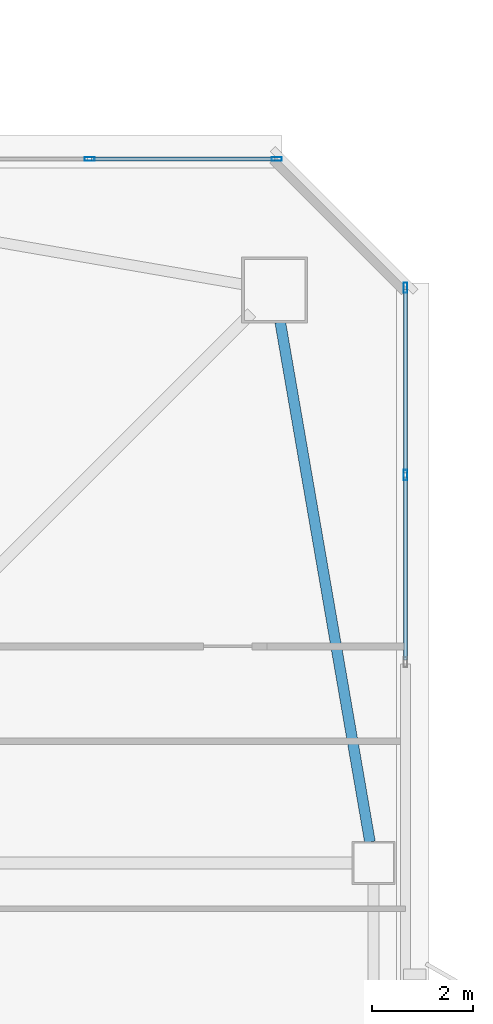
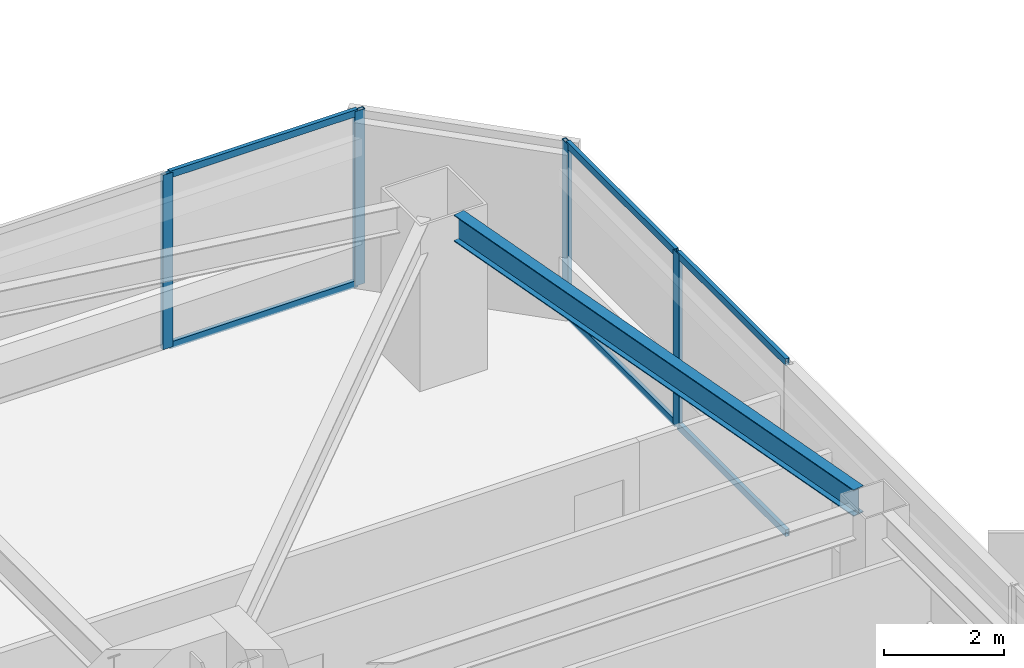
# One storey, part 18 of 48: 10 members, 1 beam, 2 elements without a shape of their own.
"""IFC4 building model written with IfcOpenShell, lengths in metres."""

from ifc_helpers import new_model, si_unit, direction, frame, origin, origin_2d, place, context, subcontext, project, spatial, hollow_rectangle, i_section, extrude, material, material_profile, profile_set, type_object, element, aggregate, save


model = new_model("IFC4")

# Units and contexts
model_context = context("Model", 3, precision=1e-05, world=origin(), true_north=direction((0.0, 1.0)))
body_context = subcontext(model_context, "Body", "Model", "MODEL_VIEW")
ifc_project = project(units=[si_unit("LENGTHUNIT", "METRE"), si_unit("AREAUNIT", "SQUARE_METRE"), si_unit("VOLUMEUNIT", "CUBIC_METRE"), si_unit("PLANEANGLEUNIT", "RADIAN"), si_unit("MASSUNIT", "GRAM", prefix="KILO")], contexts=[model_context])

# Site, building, storey
site_placement = place(None, origin())
site = spatial("IfcSite", under=ifc_project, at=site_placement, CompositionType="ELEMENT")
building_placement = place(site_placement, origin())
building = spatial("IfcBuilding", under=site, at=building_placement, Name="Tashvorn Skyway Center", CompositionType="ELEMENT")
storey_placement = place(building_placement, frame((0.0, 0.0, 125.050048828125)))
storey = spatial("IfcBuildingStorey", under=building, at=storey_placement, Name="L33", CompositionType="ELEMENT", Elevation=125.050048828125)

# Beam
ifc_material_1 = material(Name="Steel ASTM A992 Grade 50", Category="steel")
ifc_material_profile_1 = material_profile(ifc_material_1, i_section(OverallWidth=0.2109375, OverallDepth=0.5390625, WebThickness=0.01171875, FlangeThickness=0.018798828125, at=origin_2d()), Name="W21X73")
ifc_profile_set_1 = profile_set([ifc_material_profile_1], Name="Steel ASTM A992 Grade 50")
beam_type = type_object("IfcBeamType", Name="BM-SPANDREL-W21X73", PredefinedType="SPANDREL", material=ifc_profile_set_1)
beam_placement = place(storey_placement, frame((60.57861328125, 37.81396484375, 3.100341796875), z_axis=(-0.170067250846, 0.985432458462, 0.0), x_axis=(-0.985432458462, -0.170067250846, 0.0)))
element("IfcBeam", 1, at=beam_placement, inside=storey, type_object=beam_type, Name="Tower 1 L33 Spandrel Beam 06", PredefinedType="SPANDREL", context=body_context, shape_type="SweptSolid", body=[
    extrude(i_section(OverallWidth=0.2109375, OverallDepth=0.5390625, WebThickness=0.01171875, FlangeThickness=0.018798828125, at=origin_2d()), origin(), (0.0, 0.0, 1.0), 10.402099609375),
])

# Curtain wall, members
ifc_material_2 = material(Name="Thermally broken bronze-anodized aluminium 6063-T6", Category="aluminium")
curtain_wall_type = type_object("IfcCurtainWallType", Name="CW-CW-Z3", PredefinedType="NOTDEFINED", material=ifc_material_2)
curtain_wall_1_placement = place(storey_placement, origin())
curtain_wall_1 = element("IfcCurtainWall", 2, at=curtain_wall_1_placement, inside=storey, type_object=curtain_wall_type, Name="Tower 1 L33 North Unitised Curtain Wall Glazing Group 3", PredefinedType="NOTDEFINED")
ifc_material_profile_2 = material_profile(ifc_material_2, hollow_rectangle(XDim=0.074951171875, YDim=0.199951171875, WallThickness=0.00439453125, at=origin_2d()), Name="ALU-MULL-75x200")
ifc_profile_set_2 = profile_set([ifc_material_profile_2], Name="Thermally broken bronze-anodized aluminium 6063-T6")
member_type_1 = type_object("IfcMemberType", Name="CWM-CW-Z3", PredefinedType="MULLION", material=ifc_profile_set_2)
member_1_placement = place(storey_placement, frame((55.051025390625, 51.280029296875, 0.0), z_axis=(0.0, 0.0, 1.0), x_axis=(0.0, 1.0, 0.0)))
member_1 = element("IfcMember", 3, at=member_1_placement, type_object=member_type_1, Name="CW-Z3 mullion 2", PredefinedType="MULLION", context=body_context, shape_type="SweptSolid", body=[
    extrude(hollow_rectangle(XDim=0.074951171875, YDim=0.199951171875, WallThickness=0.00439453125, at=origin_2d()), origin(), (0.0, 0.0, 1.0), 3.550048828125),
])
member_2_placement = place(storey_placement, frame((58.742431640625, 51.280029296875, 0.0), z_axis=(0.0, 0.0, 1.0), x_axis=(0.0, 1.0, 0.0)))
member_2 = element("IfcMember", 4, at=member_2_placement, type_object=member_type_1, Name="CW-Z3 mullion 3", PredefinedType="MULLION", context=body_context, shape_type="SweptSolid", body=[
    extrude(hollow_rectangle(XDim=0.074951171875, YDim=0.199951171875, WallThickness=0.00439453125, at=origin_2d()), origin(), (0.0, 0.0, 1.0), 3.550048828125),
])

curtain_wall_2_placement = place(storey_placement, origin())
curtain_wall_2 = element("IfcCurtainWall", 5, at=curtain_wall_2_placement, inside=storey, type_object=curtain_wall_type, Name="Tower 1 L33 East Unitised Curtain Wall Glazing Group 1", PredefinedType="NOTDEFINED")
member_3_placement = place(storey_placement, frame((61.280029296875, 48.742431640625, 0.0), z_axis=(0.0, 0.0, 1.0), x_axis=(1.0, 0.0, 0.0)))
member_3 = element("IfcMember", 6, at=member_3_placement, type_object=member_type_1, Name="CW-Z3 mullion 1", PredefinedType="MULLION", context=body_context, shape_type="SweptSolid", body=[
    extrude(hollow_rectangle(XDim=0.074951171875, YDim=0.199951171875, WallThickness=0.00439453125, at=origin_2d()), origin(), (0.0, 0.0, 1.0), 3.550048828125),
])
member_4_placement = place(storey_placement, frame((61.280029296875, 45.051025390625, 0.0), z_axis=(0.0, 0.0, 1.0), x_axis=(1.0, 0.0, 0.0)))
member_4 = element("IfcMember", 7, at=member_4_placement, type_object=member_type_1, Name="CW-Z3 mullion 2", PredefinedType="MULLION", context=body_context, shape_type="SweptSolid", body=[
    extrude(hollow_rectangle(XDim=0.074951171875, YDim=0.199951171875, WallThickness=0.00439453125, at=origin_2d()), origin(), (0.0, 0.0, 1.0), 3.550048828125),
])

# Member
ifc_material_profile_3 = material_profile(ifc_material_2, hollow_rectangle(XDim=0.074951171875, YDim=0.139892578125, WallThickness=0.004150390625, at=origin_2d()), Name="ALU-TRAN-75x140")
ifc_profile_set_3 = profile_set([ifc_material_profile_3], Name="Thermally broken bronze-anodized aluminium 6063-T6")
member_type_2 = type_object("IfcMemberType", Name="CWT-CW-Z3", PredefinedType="USERDEFINED", material=ifc_profile_set_3)
member_5_placement = place(storey_placement, frame((55.088623046875, 51.280029296875, 0.037353515625), z_axis=(1.0, 0.0, 0.0), x_axis=(0.0, 1.0, 0.0)))
member_5 = element("IfcMember", 8, at=member_5_placement, type_object=member_type_2, Name="CW-Z3 transom 2.1", ObjectType="TRANSOM", PredefinedType="USERDEFINED", context=body_context, shape_type="SweptSolid", body=[
    extrude(hollow_rectangle(XDim=0.074951171875, YDim=0.139892578125, WallThickness=0.004150390625, at=origin_2d()), origin(), (0.0, 0.0, 1.0), 3.616455078125),
])

member_6_placement = place(storey_placement, frame((55.088623046875, 51.280029296875, 3.512451171875), z_axis=(1.0, 0.0, 0.0), x_axis=(0.0, 1.0, 0.0)))
member_6 = element("IfcMember", 9, at=member_6_placement, type_object=member_type_2, Name="CW-Z3 transom 2.2", ObjectType="TRANSOM", PredefinedType="USERDEFINED", context=body_context, shape_type="SweptSolid", body=[
    extrude(hollow_rectangle(XDim=0.074951171875, YDim=0.139892578125, WallThickness=0.004150390625, at=origin_2d()), origin(), (0.0, 0.0, 1.0), 3.616455078125),
])

aggregate(curtain_wall_1, [member_1, member_2, member_5, member_6])

member_7_placement = place(storey_placement, frame((61.280029296875, 48.705078125, 0.037353515625), z_axis=(0.0, -1.0, 0.0), x_axis=(1.0, 0.0, 0.0)))
member_7 = element("IfcMember", 10, at=member_7_placement, type_object=member_type_2, Name="CW-Z3 transom 1.1", ObjectType="TRANSOM", PredefinedType="USERDEFINED", context=body_context, shape_type="SweptSolid", body=[
    extrude(hollow_rectangle(XDim=0.074951171875, YDim=0.139892578125, WallThickness=0.004150390625, at=origin_2d()), origin(), (0.0, 0.0, 1.0), 3.616455078125),
])

member_8_placement = place(storey_placement, frame((61.280029296875, 48.705078125, 3.512451171875), z_axis=(0.0, -1.0, 0.0), x_axis=(1.0, 0.0, 0.0)))
member_8 = element("IfcMember", 11, at=member_8_placement, type_object=member_type_2, Name="CW-Z3 transom 1.2", ObjectType="TRANSOM", PredefinedType="USERDEFINED", context=body_context, shape_type="SweptSolid", body=[
    extrude(hollow_rectangle(XDim=0.074951171875, YDim=0.139892578125, WallThickness=0.004150390625, at=origin_2d()), origin(), (0.0, 0.0, 1.0), 3.616455078125),
])

member_9_placement = place(storey_placement, frame((61.280029296875, 45.013671875, 0.037353515625), z_axis=(0.0, -1.0, 0.0), x_axis=(1.0, 0.0, 0.0)))
member_9 = element("IfcMember", 12, at=member_9_placement, type_object=member_type_2, Name="CW-Z3 transom 2.1", ObjectType="TRANSOM", PredefinedType="USERDEFINED", context=body_context, shape_type="SweptSolid", body=[
    extrude(hollow_rectangle(XDim=0.074951171875, YDim=0.139892578125, WallThickness=0.004150390625, at=origin_2d()), origin(), (0.0, 0.0, 1.0), 3.616455078125),
])

member_10_placement = place(storey_placement, frame((61.280029296875, 45.013671875, 3.512451171875), z_axis=(0.0, -1.0, 0.0), x_axis=(1.0, 0.0, 0.0)))
member_10 = element("IfcMember", 13, at=member_10_placement, type_object=member_type_2, Name="CW-Z3 transom 2.2", ObjectType="TRANSOM", PredefinedType="USERDEFINED", context=body_context, shape_type="SweptSolid", body=[
    extrude(hollow_rectangle(XDim=0.074951171875, YDim=0.139892578125, WallThickness=0.004150390625, at=origin_2d()), origin(), (0.0, 0.0, 1.0), 3.616455078125),
])

aggregate(curtain_wall_2, [member_3, member_4, member_7, member_8, member_9, member_10])

save(model, "model.ifc")
